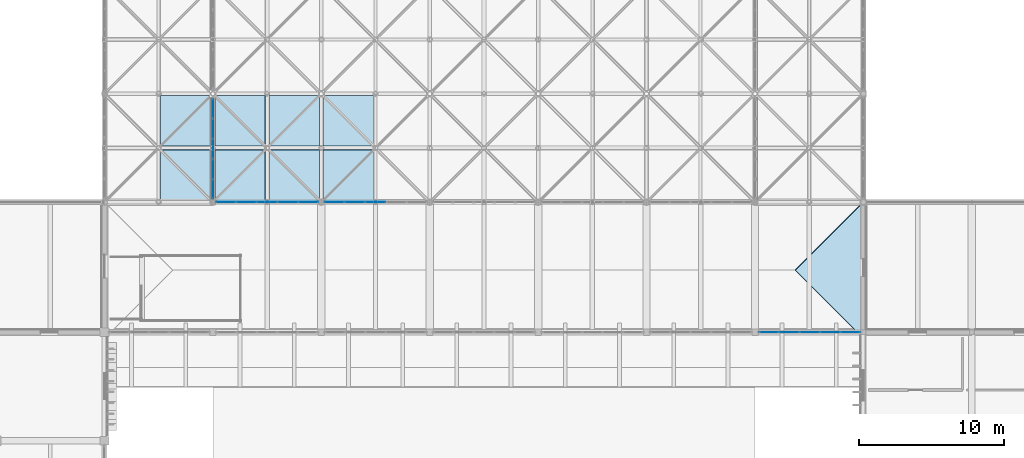
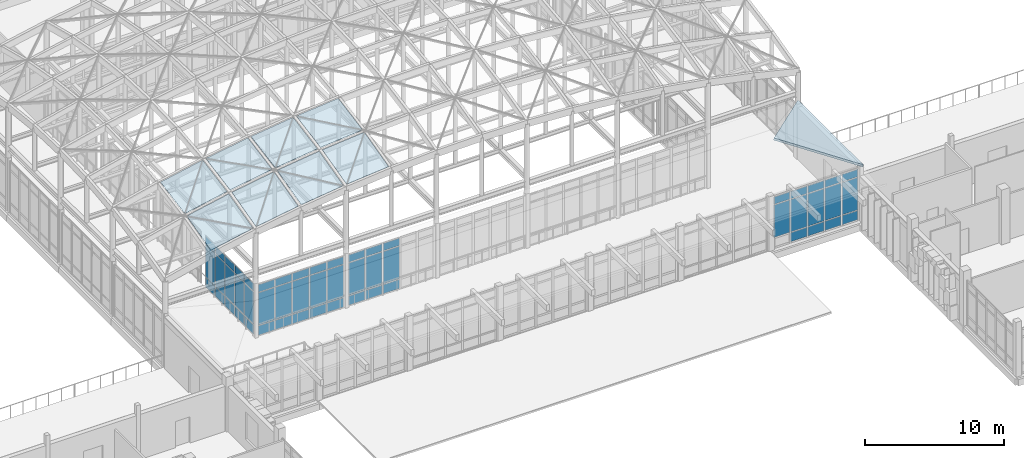
# One storey, part 79 of 131: 61 plates, 1 slab, 6 elements without a shape of their own.
"""IFC4 building model written with IfcOpenShell, lengths in metres."""

from ifc_helpers import new_model, si_unit, direction, frame, origin, origin_2d, place, context, subcontext, project, spatial, polyline, rectangle, outline, extrude, material, layer, layer_set, type_object, element, aggregate, save


model = new_model("IFC4")

# Units and contexts
model_context = context("Model", 3, precision=1e-05, world=origin(), true_north=direction((0.0, 1.0)))
body_context = subcontext(model_context, "Body", "Model", "MODEL_VIEW")
ifc_project = project(units=[si_unit("LENGTHUNIT", "METRE"), si_unit("AREAUNIT", "SQUARE_METRE"), si_unit("VOLUMEUNIT", "CUBIC_METRE"), si_unit("PLANEANGLEUNIT", "RADIAN"), si_unit("MASSUNIT", "GRAM", prefix="KILO")], contexts=[model_context])

# Site, building, storey
site_placement = place(None, origin())
site = spatial("IfcSite", under=ifc_project, at=site_placement, CompositionType="ELEMENT")
building_placement = place(site_placement, origin())
building = spatial("IfcBuilding", under=site, at=building_placement, Name="Dalvernix Boulevard General Hospital", CompositionType="ELEMENT")
storey_placement = place(building_placement, frame((0.0, 0.0, 9.300048828125)))
storey = spatial("IfcBuildingStorey", under=building, at=storey_placement, Name="L02", CompositionType="ELEMENT", Elevation=9.300048828125)

# Curtain wall, plates
ifc_material_1 = material(Name="Thermally broken aluminium and solar-control glass curtain wall", Category="aluminium")
ifc_layer_1 = layer(ifc_material_1, 0.159912109375)
ifc_layer_set_1 = layer_set([ifc_layer_1], Name="Thermally broken aluminium and solar-control glass curtain wall (CW-CW-A-70x46)")
curtain_wall_type_1 = type_object("IfcCurtainWallType", Name="CW-CW-A-70x46", PredefinedType="USERDEFINED", material=ifc_layer_set_1)
curtain_wall_1_placement = place(storey_placement, origin())
curtain_wall_1 = element("IfcCurtainWall", 1, at=curtain_wall_1_placement, inside=storey, type_object=curtain_wall_type_1, Name="L02 curtain wall CW-A-70x46 9-4", ObjectType="GLAZED FACADE", PredefinedType="USERDEFINED")
ifc_material_2 = material(Name="Double-glazed solar-control low-emissivity glass", Category="glass")
ifc_layer_2 = layer(ifc_material_2, 0.02392578125)
ifc_layer_set_2 = layer_set([ifc_layer_2], Name="Double-glazed solar-control low-emissivity glass (PLT-CW-P1)")
plate_type_1 = type_object("IfcPlateType", Name="PLT-CW-P1", PredefinedType="CURTAIN_PANEL", material=ifc_layer_set_2)
plate_1_placement = place(storey_placement, frame((67.5, 37.97509765625, 0.059814453125), z_axis=(0.0, 0.0, 1.0), x_axis=(0.0, -1.0, 0.0)))
plate_1 = element("IfcPlate", 2, at=plate_1_placement, type_object=plate_type_1, Name="CW-A-70x46 panel 1.1", PredefinedType="CURTAIN_PANEL", context=body_context, shape_type="SweptSolid", body=[
    extrude(rectangle(XDim=1.31005859375, YDim=0.02392578125, at=origin_2d()), origin(), (0.0, 0.0, 1.0), 0.81005859375),
])
plate_2_placement = place(storey_placement, frame((67.5, 37.97509765625, 0.9296875), z_axis=(0.0, 0.0, 1.0), x_axis=(0.0, -1.0, 0.0)))
plate_2 = element("IfcPlate", 3, at=plate_2_placement, type_object=plate_type_1, Name="CW-A-70x46 panel 1.2", PredefinedType="CURTAIN_PANEL", context=body_context, shape_type="SweptSolid", body=[
    extrude(rectangle(XDim=1.31005859375, YDim=0.02392578125, at=origin_2d()), origin(), (0.0, 0.0, 1.0), 2.840087890625),
])
plate_3_placement = place(storey_placement, frame((67.5, 37.97509765625, 3.830078125), z_axis=(0.0, 0.0, 1.0), x_axis=(0.0, -1.0, 0.0)))
plate_3 = element("IfcPlate", 4, at=plate_3_placement, type_object=plate_type_1, Name="CW-A-70x46 panel 1.3", PredefinedType="CURTAIN_PANEL", context=body_context, shape_type="SweptSolid", body=[
    extrude(rectangle(XDim=1.31005859375, YDim=0.02392578125, at=origin_2d()), origin(), (0.0, 0.0, 1.0), 0.659912109375),
])
plate_4_placement = place(storey_placement, frame((67.5, 36.590087890625, 0.059814453125), z_axis=(0.0, 0.0, 1.0), x_axis=(0.0, -1.0, 0.0)))
plate_4 = element("IfcPlate", 5, at=plate_4_placement, type_object=plate_type_1, Name="CW-A-70x46 panel 2.1", PredefinedType="CURTAIN_PANEL", context=body_context, shape_type="SweptSolid", body=[
    extrude(rectangle(XDim=1.340087890625, YDim=0.02392578125, at=origin_2d()), origin(), (0.0, 0.0, 1.0), 0.81005859375),
])
plate_5_placement = place(storey_placement, frame((67.5, 36.590087890625, 0.9296875), z_axis=(0.0, 0.0, 1.0), x_axis=(0.0, -1.0, 0.0)))
plate_5 = element("IfcPlate", 6, at=plate_5_placement, type_object=plate_type_1, Name="CW-A-70x46 panel 2.2", PredefinedType="CURTAIN_PANEL", context=body_context, shape_type="SweptSolid", body=[
    extrude(rectangle(XDim=1.340087890625, YDim=0.02392578125, at=origin_2d()), origin(), (0.0, 0.0, 1.0), 2.840087890625),
])
plate_6_placement = place(storey_placement, frame((67.5, 36.590087890625, 3.830078125), z_axis=(0.0, 0.0, 1.0), x_axis=(0.0, -1.0, 0.0)))
plate_6 = element("IfcPlate", 7, at=plate_6_placement, type_object=plate_type_1, Name="CW-A-70x46 panel 2.3", PredefinedType="CURTAIN_PANEL", context=body_context, shape_type="SweptSolid", body=[
    extrude(rectangle(XDim=1.340087890625, YDim=0.02392578125, at=origin_2d()), origin(), (0.0, 0.0, 1.0), 0.659912109375),
])
plate_7_placement = place(storey_placement, frame((67.5, 35.18994140625, 0.059814453125), z_axis=(0.0, 0.0, 1.0), x_axis=(0.0, -1.0, 0.0)))
plate_7 = element("IfcPlate", 8, at=plate_7_placement, type_object=plate_type_1, Name="CW-A-70x46 panel 3.1", PredefinedType="CURTAIN_PANEL", context=body_context, shape_type="SweptSolid", body=[
    extrude(rectangle(XDim=1.340087890625, YDim=0.02392578125, at=origin_2d()), origin(), (0.0, 0.0, 1.0), 0.81005859375),
])
plate_8_placement = place(storey_placement, frame((67.5, 35.18994140625, 0.9296875), z_axis=(0.0, 0.0, 1.0), x_axis=(0.0, -1.0, 0.0)))
plate_8 = element("IfcPlate", 9, at=plate_8_placement, type_object=plate_type_1, Name="CW-A-70x46 panel 3.2", PredefinedType="CURTAIN_PANEL", context=body_context, shape_type="SweptSolid", body=[
    extrude(rectangle(XDim=1.340087890625, YDim=0.02392578125, at=origin_2d()), origin(), (0.0, 0.0, 1.0), 2.840087890625),
])
plate_9_placement = place(storey_placement, frame((67.5, 35.18994140625, 3.830078125), z_axis=(0.0, 0.0, 1.0), x_axis=(0.0, -1.0, 0.0)))
plate_9 = element("IfcPlate", 10, at=plate_9_placement, type_object=plate_type_1, Name="CW-A-70x46 panel 3.3", PredefinedType="CURTAIN_PANEL", context=body_context, shape_type="SweptSolid", body=[
    extrude(rectangle(XDim=1.340087890625, YDim=0.02392578125, at=origin_2d()), origin(), (0.0, 0.0, 1.0), 0.659912109375),
])
plate_10_placement = place(storey_placement, frame((67.5, 33.7900390625, 0.059814453125), z_axis=(0.0, 0.0, 1.0), x_axis=(0.0, -1.0, 0.0)))
plate_10 = element("IfcPlate", 11, at=plate_10_placement, type_object=plate_type_1, Name="CW-A-70x46 panel 4.1", PredefinedType="CURTAIN_PANEL", context=body_context, shape_type="SweptSolid", body=[
    extrude(rectangle(XDim=1.340087890625, YDim=0.02392578125, at=origin_2d()), origin(), (0.0, 0.0, 1.0), 0.81005859375),
])
plate_11_placement = place(storey_placement, frame((67.5, 33.7900390625, 0.9296875), z_axis=(0.0, 0.0, 1.0), x_axis=(0.0, -1.0, 0.0)))
plate_11 = element("IfcPlate", 12, at=plate_11_placement, type_object=plate_type_1, Name="CW-A-70x46 panel 4.2", PredefinedType="CURTAIN_PANEL", context=body_context, shape_type="SweptSolid", body=[
    extrude(rectangle(XDim=1.340087890625, YDim=0.02392578125, at=origin_2d()), origin(), (0.0, 0.0, 1.0), 2.840087890625),
])
plate_12_placement = place(storey_placement, frame((67.5, 33.7900390625, 3.830078125), z_axis=(0.0, 0.0, 1.0), x_axis=(0.0, -1.0, 0.0)))
plate_12 = element("IfcPlate", 13, at=plate_12_placement, type_object=plate_type_1, Name="CW-A-70x46 panel 4.3", PredefinedType="CURTAIN_PANEL", context=body_context, shape_type="SweptSolid", body=[
    extrude(rectangle(XDim=1.340087890625, YDim=0.02392578125, at=origin_2d()), origin(), (0.0, 0.0, 1.0), 0.659912109375),
])
plate_13_placement = place(storey_placement, frame((67.5, 32.405029296875, 0.059814453125), z_axis=(0.0, 0.0, 1.0), x_axis=(0.0, -1.0, 0.0)))
plate_13 = element("IfcPlate", 14, at=plate_13_placement, type_object=plate_type_1, Name="CW-A-70x46 panel 5.1", PredefinedType="CURTAIN_PANEL", context=body_context, shape_type="SweptSolid", body=[
    extrude(rectangle(XDim=1.31005859375, YDim=0.02392578125, at=origin_2d()), origin(), (0.0, 0.0, 1.0), 0.81005859375),
])
plate_14_placement = place(storey_placement, frame((67.5, 32.405029296875, 0.9296875), z_axis=(0.0, 0.0, 1.0), x_axis=(0.0, -1.0, 0.0)))
plate_14 = element("IfcPlate", 15, at=plate_14_placement, type_object=plate_type_1, Name="CW-A-70x46 panel 5.2", PredefinedType="CURTAIN_PANEL", context=body_context, shape_type="SweptSolid", body=[
    extrude(rectangle(XDim=1.31005859375, YDim=0.02392578125, at=origin_2d()), origin(), (0.0, 0.0, 1.0), 2.840087890625),
])
plate_15_placement = place(storey_placement, frame((67.5, 32.405029296875, 3.830078125), z_axis=(0.0, 0.0, 1.0), x_axis=(0.0, -1.0, 0.0)))
plate_15 = element("IfcPlate", 16, at=plate_15_placement, type_object=plate_type_1, Name="CW-A-70x46 panel 5.3", PredefinedType="CURTAIN_PANEL", context=body_context, shape_type="SweptSolid", body=[
    extrude(rectangle(XDim=1.31005859375, YDim=0.02392578125, at=origin_2d()), origin(), (0.0, 0.0, 1.0), 0.659912109375),
])
aggregate(curtain_wall_1, [plate_1, plate_2, plate_3, plate_4, plate_5, plate_6, plate_7, plate_8, plate_9, plate_10, plate_11, plate_12, plate_13, plate_14, plate_15])

ifc_layer_3 = layer(ifc_material_1, 0.159912109375)
ifc_layer_set_3 = layer_set([ifc_layer_3], Name="Thermally broken aluminium and solar-control glass curtain wall (CW-CW-A-72x46)")
curtain_wall_type_2 = type_object("IfcCurtainWallType", Name="CW-CW-A-72x46", PredefinedType="USERDEFINED", material=ifc_layer_set_3)
curtain_wall_2_placement = place(storey_placement, origin())
curtain_wall_2 = element("IfcCurtainWall", 17, at=curtain_wall_2_placement, inside=storey, type_object=curtain_wall_type_2, Name="L02 curtain wall CW-A-72x46 9-4", ObjectType="GLAZED FACADE", PredefinedType="USERDEFINED")
plate_16_placement = place(storey_placement, frame((68.39306640625, 31.5, 0.059814453125), z_axis=(0.0, 0.0, 1.0), x_axis=(1.0, 0.0, 0.0)))
plate_16 = element("IfcPlate", 18, at=plate_16_placement, type_object=plate_type_1, Name="CW-A-72x46 panel 1.1", PredefinedType="CURTAIN_PANEL", context=body_context, shape_type="SweptSolid", body=[
    extrude(rectangle(XDim=1.345947265625, YDim=0.02392578125, at=origin_2d()), origin(), (0.0, 0.0, 1.0), 0.81005859375),
])
plate_17_placement = place(storey_placement, frame((68.39306640625, 31.5, 0.9296875), z_axis=(0.0, 0.0, 1.0), x_axis=(1.0, 0.0, 0.0)))
plate_17 = element("IfcPlate", 19, at=plate_17_placement, type_object=plate_type_1, Name="CW-A-72x46 panel 1.2", PredefinedType="CURTAIN_PANEL", context=body_context, shape_type="SweptSolid", body=[
    extrude(rectangle(XDim=1.345947265625, YDim=0.02392578125, at=origin_2d()), origin(), (0.0, 0.0, 1.0), 2.840087890625),
])
plate_18_placement = place(storey_placement, frame((68.39306640625, 31.5, 3.830078125), z_axis=(0.0, 0.0, 1.0), x_axis=(1.0, 0.0, 0.0)))
plate_18 = element("IfcPlate", 20, at=plate_18_placement, type_object=plate_type_1, Name="CW-A-72x46 panel 1.3", PredefinedType="CURTAIN_PANEL", context=body_context, shape_type="SweptSolid", body=[
    extrude(rectangle(XDim=1.345947265625, YDim=0.02392578125, at=origin_2d()), origin(), (0.0, 0.0, 1.0), 0.659912109375),
])
plate_19_placement = place(storey_placement, frame((69.81396484375, 31.5, 0.059814453125), z_axis=(0.0, 0.0, 1.0), x_axis=(1.0, 0.0, 0.0)))
plate_19 = element("IfcPlate", 21, at=plate_19_placement, type_object=plate_type_1, Name="CW-A-72x46 panel 2.1", PredefinedType="CURTAIN_PANEL", context=body_context, shape_type="SweptSolid", body=[
    extrude(rectangle(XDim=1.3759765625, YDim=0.02392578125, at=origin_2d()), origin(), (0.0, 0.0, 1.0), 0.81005859375),
])
plate_20_placement = place(storey_placement, frame((69.81396484375, 31.5, 0.9296875), z_axis=(0.0, 0.0, 1.0), x_axis=(1.0, 0.0, 0.0)))
plate_20 = element("IfcPlate", 22, at=plate_20_placement, type_object=plate_type_1, Name="CW-A-72x46 panel 2.2", PredefinedType="CURTAIN_PANEL", context=body_context, shape_type="SweptSolid", body=[
    extrude(rectangle(XDim=1.3759765625, YDim=0.02392578125, at=origin_2d()), origin(), (0.0, 0.0, 1.0), 2.840087890625),
])
plate_21_placement = place(storey_placement, frame((69.81396484375, 31.5, 3.830078125), z_axis=(0.0, 0.0, 1.0), x_axis=(1.0, 0.0, 0.0)))
plate_21 = element("IfcPlate", 23, at=plate_21_placement, type_object=plate_type_1, Name="CW-A-72x46 panel 2.3", PredefinedType="CURTAIN_PANEL", context=body_context, shape_type="SweptSolid", body=[
    extrude(rectangle(XDim=1.3759765625, YDim=0.02392578125, at=origin_2d()), origin(), (0.0, 0.0, 1.0), 0.659912109375),
])
plate_22_placement = place(storey_placement, frame((71.25, 31.5, 0.059814453125), z_axis=(0.0, 0.0, 1.0), x_axis=(1.0, 0.0, 0.0)))
plate_22 = element("IfcPlate", 24, at=plate_22_placement, type_object=plate_type_1, Name="CW-A-72x46 panel 3.1", PredefinedType="CURTAIN_PANEL", context=body_context, shape_type="SweptSolid", body=[
    extrude(rectangle(XDim=1.3759765625, YDim=0.02392578125, at=origin_2d()), origin(), (0.0, 0.0, 1.0), 0.81005859375),
])
plate_23_placement = place(storey_placement, frame((71.25, 31.5, 0.9296875), z_axis=(0.0, 0.0, 1.0), x_axis=(1.0, 0.0, 0.0)))
plate_23 = element("IfcPlate", 25, at=plate_23_placement, type_object=plate_type_1, Name="CW-A-72x46 panel 3.2", PredefinedType="CURTAIN_PANEL", context=body_context, shape_type="SweptSolid", body=[
    extrude(rectangle(XDim=1.3759765625, YDim=0.02392578125, at=origin_2d()), origin(), (0.0, 0.0, 1.0), 2.840087890625),
])
plate_24_placement = place(storey_placement, frame((71.25, 31.5, 3.830078125), z_axis=(0.0, 0.0, 1.0), x_axis=(1.0, 0.0, 0.0)))
plate_24 = element("IfcPlate", 26, at=plate_24_placement, type_object=plate_type_1, Name="CW-A-72x46 panel 3.3", PredefinedType="CURTAIN_PANEL", context=body_context, shape_type="SweptSolid", body=[
    extrude(rectangle(XDim=1.3759765625, YDim=0.02392578125, at=origin_2d()), origin(), (0.0, 0.0, 1.0), 0.659912109375),
])
plate_25_placement = place(storey_placement, frame((72.68603515625, 31.5, 0.059814453125), z_axis=(0.0, 0.0, 1.0), x_axis=(1.0, 0.0, 0.0)))
plate_25 = element("IfcPlate", 27, at=plate_25_placement, type_object=plate_type_1, Name="CW-A-72x46 panel 4.1", PredefinedType="CURTAIN_PANEL", context=body_context, shape_type="SweptSolid", body=[
    extrude(rectangle(XDim=1.3759765625, YDim=0.02392578125, at=origin_2d()), origin(), (0.0, 0.0, 1.0), 0.81005859375),
])
plate_26_placement = place(storey_placement, frame((72.68603515625, 31.5, 0.9296875), z_axis=(0.0, 0.0, 1.0), x_axis=(1.0, 0.0, 0.0)))
plate_26 = element("IfcPlate", 28, at=plate_26_placement, type_object=plate_type_1, Name="CW-A-72x46 panel 4.2", PredefinedType="CURTAIN_PANEL", context=body_context, shape_type="SweptSolid", body=[
    extrude(rectangle(XDim=1.3759765625, YDim=0.02392578125, at=origin_2d()), origin(), (0.0, 0.0, 1.0), 2.840087890625),
])
plate_27_placement = place(storey_placement, frame((72.68603515625, 31.5, 3.830078125), z_axis=(0.0, 0.0, 1.0), x_axis=(1.0, 0.0, 0.0)))
plate_27 = element("IfcPlate", 29, at=plate_27_placement, type_object=plate_type_1, Name="CW-A-72x46 panel 4.3", PredefinedType="CURTAIN_PANEL", context=body_context, shape_type="SweptSolid", body=[
    extrude(rectangle(XDim=1.3759765625, YDim=0.02392578125, at=origin_2d()), origin(), (0.0, 0.0, 1.0), 0.659912109375),
])
plate_28_placement = place(storey_placement, frame((74.10693359375, 31.5, 0.059814453125), z_axis=(0.0, 0.0, 1.0), x_axis=(1.0, 0.0, 0.0)))
plate_28 = element("IfcPlate", 30, at=plate_28_placement, type_object=plate_type_1, Name="CW-A-72x46 panel 5.1", PredefinedType="CURTAIN_PANEL", context=body_context, shape_type="SweptSolid", body=[
    extrude(rectangle(XDim=1.345947265625, YDim=0.02392578125, at=origin_2d()), origin(), (0.0, 0.0, 1.0), 0.81005859375),
])
plate_29_placement = place(storey_placement, frame((74.10693359375, 31.5, 0.9296875), z_axis=(0.0, 0.0, 1.0), x_axis=(1.0, 0.0, 0.0)))
plate_29 = element("IfcPlate", 31, at=plate_29_placement, type_object=plate_type_1, Name="CW-A-72x46 panel 5.2", PredefinedType="CURTAIN_PANEL", context=body_context, shape_type="SweptSolid", body=[
    extrude(rectangle(XDim=1.345947265625, YDim=0.02392578125, at=origin_2d()), origin(), (0.0, 0.0, 1.0), 2.840087890625),
])
plate_30_placement = place(storey_placement, frame((74.10693359375, 31.5, 3.830078125), z_axis=(0.0, 0.0, 1.0), x_axis=(1.0, 0.0, 0.0)))
plate_30 = element("IfcPlate", 32, at=plate_30_placement, type_object=plate_type_1, Name="CW-A-72x46 panel 5.3", PredefinedType="CURTAIN_PANEL", context=body_context, shape_type="SweptSolid", body=[
    extrude(rectangle(XDim=1.345947265625, YDim=0.02392578125, at=origin_2d()), origin(), (0.0, 0.0, 1.0), 0.659912109375),
])
aggregate(curtain_wall_2, [plate_16, plate_17, plate_18, plate_19, plate_20, plate_21, plate_22, plate_23, plate_24, plate_25, plate_26, plate_27, plate_28, plate_29, plate_30])

ifc_layer_4 = layer(ifc_material_1, 0.179931640625)
ifc_layer_set_4 = layer_set([ifc_layer_4], Name="Thermally broken aluminium and solar-control glass curtain wall (CW-CW-B-72x46)")
curtain_wall_type_3 = type_object("IfcCurtainWallType", Name="CW-CW-B-72x46", PredefinedType="USERDEFINED", material=ifc_layer_set_4)
curtain_wall_3_placement = place(storey_placement, origin())
curtain_wall_3 = element("IfcCurtainWall", 33, at=curtain_wall_3_placement, inside=storey, type_object=curtain_wall_type_3, Name="L02 curtain wall CW-B-72x46 10-4", ObjectType="GLAZED FACADE", PredefinedType="USERDEFINED")
ifc_layer_5 = layer(ifc_material_2, 0.028076171875)
ifc_layer_set_5 = layer_set([ifc_layer_5], Name="Double-glazed solar-control low-emissivity glass (PLT-CW-P2)")
plate_type_2 = type_object("IfcPlateType", Name="PLT-CW-P2", PredefinedType="CURTAIN_PANEL", material=ifc_layer_set_5)
plate_31_placement = place(storey_placement, frame((75.894287109375, 31.5, 0.06494140625), z_axis=(0.0, 0.0, 1.0), x_axis=(1.0, 0.0, 0.0)))
plate_31 = element("IfcPlate", 34, at=plate_31_placement, type_object=plate_type_2, Name="CW-B-72x46 panel 1.1", PredefinedType="CURTAIN_PANEL", context=body_context, shape_type="SweptSolid", body=[
    extrude(rectangle(XDim=1.33837890625, YDim=0.028076171875, at=origin_2d()), origin(), (0.0, 0.0, 1.0), 0.802490234375),
])
plate_32_placement = place(storey_placement, frame((75.894287109375, 31.5, 0.932373046875), z_axis=(0.0, 0.0, 1.0), x_axis=(1.0, 0.0, 0.0)))
plate_32 = element("IfcPlate", 35, at=plate_32_placement, type_object=plate_type_2, Name="CW-B-72x46 panel 1.2", PredefinedType="CURTAIN_PANEL", context=body_context, shape_type="SweptSolid", body=[
    extrude(rectangle(XDim=1.33837890625, YDim=0.028076171875, at=origin_2d()), origin(), (0.0, 0.0, 1.0), 2.8349609375),
])
plate_33_placement = place(storey_placement, frame((75.894287109375, 31.5, 3.83251953125), z_axis=(0.0, 0.0, 1.0), x_axis=(1.0, 0.0, 0.0)))
plate_33 = element("IfcPlate", 36, at=plate_33_placement, type_object=plate_type_2, Name="CW-B-72x46 panel 1.3", PredefinedType="CURTAIN_PANEL", context=body_context, shape_type="SweptSolid", body=[
    extrude(rectangle(XDim=1.33837890625, YDim=0.028076171875, at=origin_2d()), origin(), (0.0, 0.0, 1.0), 0.652587890625),
])
plate_34_placement = place(storey_placement, frame((77.31396484375, 31.5, 0.06494140625), z_axis=(0.0, 0.0, 1.0), x_axis=(1.0, 0.0, 0.0)))
plate_34 = element("IfcPlate", 37, at=plate_34_placement, type_object=plate_type_2, Name="CW-B-72x46 panel 2.1", PredefinedType="CURTAIN_PANEL", context=body_context, shape_type="SweptSolid", body=[
    extrude(rectangle(XDim=1.37109375, YDim=0.028076171875, at=origin_2d()), origin(), (0.0, 0.0, 1.0), 0.802490234375),
])
plate_35_placement = place(storey_placement, frame((77.31396484375, 31.5, 0.932373046875), z_axis=(0.0, 0.0, 1.0), x_axis=(1.0, 0.0, 0.0)))
plate_35 = element("IfcPlate", 38, at=plate_35_placement, type_object=plate_type_2, Name="CW-B-72x46 panel 2.2", PredefinedType="CURTAIN_PANEL", context=body_context, shape_type="SweptSolid", body=[
    extrude(rectangle(XDim=1.37109375, YDim=0.028076171875, at=origin_2d()), origin(), (0.0, 0.0, 1.0), 2.8349609375),
])
plate_36_placement = place(storey_placement, frame((77.31396484375, 31.5, 3.83251953125), z_axis=(0.0, 0.0, 1.0), x_axis=(1.0, 0.0, 0.0)))
plate_36 = element("IfcPlate", 39, at=plate_36_placement, type_object=plate_type_2, Name="CW-B-72x46 panel 2.3", PredefinedType="CURTAIN_PANEL", context=body_context, shape_type="SweptSolid", body=[
    extrude(rectangle(XDim=1.37109375, YDim=0.028076171875, at=origin_2d()), origin(), (0.0, 0.0, 1.0), 0.652587890625),
])
plate_37_placement = place(storey_placement, frame((78.75, 31.5, 0.06494140625), z_axis=(0.0, 0.0, 1.0), x_axis=(1.0, 0.0, 0.0)))
plate_37 = element("IfcPlate", 40, at=plate_37_placement, type_object=plate_type_2, Name="CW-B-72x46 panel 3.1", PredefinedType="CURTAIN_PANEL", context=body_context, shape_type="SweptSolid", body=[
    extrude(rectangle(XDim=1.37109375, YDim=0.028076171875, at=origin_2d()), origin(), (0.0, 0.0, 1.0), 0.802490234375),
])
plate_38_placement = place(storey_placement, frame((78.75, 31.5, 0.932373046875), z_axis=(0.0, 0.0, 1.0), x_axis=(1.0, 0.0, 0.0)))
plate_38 = element("IfcPlate", 41, at=plate_38_placement, type_object=plate_type_2, Name="CW-B-72x46 panel 3.2", PredefinedType="CURTAIN_PANEL", context=body_context, shape_type="SweptSolid", body=[
    extrude(rectangle(XDim=1.37109375, YDim=0.028076171875, at=origin_2d()), origin(), (0.0, 0.0, 1.0), 2.8349609375),
])
plate_39_placement = place(storey_placement, frame((78.75, 31.5, 3.83251953125), z_axis=(0.0, 0.0, 1.0), x_axis=(1.0, 0.0, 0.0)))
plate_39 = element("IfcPlate", 42, at=plate_39_placement, type_object=plate_type_2, Name="CW-B-72x46 panel 3.3", PredefinedType="CURTAIN_PANEL", context=body_context, shape_type="SweptSolid", body=[
    extrude(rectangle(XDim=1.37109375, YDim=0.028076171875, at=origin_2d()), origin(), (0.0, 0.0, 1.0), 0.652587890625),
])
aggregate(curtain_wall_3, [plate_31, plate_32, plate_33, plate_34, plate_35, plate_36, plate_37, plate_38, plate_39])

ifc_layer_6 = layer(ifc_material_1, 0.179931640625)
ifc_layer_set_6 = layer_set([ifc_layer_6], Name="Thermally broken aluminium and solar-control glass curtain wall (CW-CW-B-71x46)")
curtain_wall_type_4 = type_object("IfcCurtainWallType", Name="CW-CW-B-71x46", PredefinedType="USERDEFINED", material=ifc_layer_set_6)
curtain_wall_4_placement = place(storey_placement, origin())
curtain_wall_4 = element("IfcCurtainWall", 43, at=curtain_wall_4_placement, inside=storey, type_object=curtain_wall_type_4, Name="L02 curtain wall CW-B-71x46 14-3", ObjectType="GLAZED FACADE", PredefinedType="USERDEFINED")
plate_40_placement = place(storey_placement, frame((111.604248046875, 22.5, 0.06494140625), z_axis=(0.0, 0.0, 1.0), x_axis=(-1.0, 0.0, 0.0)))
plate_40 = element("IfcPlate", 44, at=plate_40_placement, type_object=plate_type_2, Name="CW-B-71x46 panel 1.1", PredefinedType="CURTAIN_PANEL", context=body_context, shape_type="SweptSolid", body=[
    extrude(rectangle(XDim=1.321533203125, YDim=0.028076171875, at=origin_2d()), origin(), (0.0, 0.0, 1.0), 0.802490234375),
])
plate_41_placement = place(storey_placement, frame((111.604248046875, 22.5, 0.932373046875), z_axis=(0.0, 0.0, 1.0), x_axis=(-1.0, 0.0, 0.0)))
plate_41 = element("IfcPlate", 45, at=plate_41_placement, type_object=plate_type_2, Name="CW-B-71x46 panel 1.2", PredefinedType="CURTAIN_PANEL", context=body_context, shape_type="SweptSolid", body=[
    extrude(rectangle(XDim=1.321533203125, YDim=0.028076171875, at=origin_2d()), origin(), (0.0, 0.0, 1.0), 2.8349609375),
])
plate_42_placement = place(storey_placement, frame((111.604248046875, 22.5, 3.83251953125), z_axis=(0.0, 0.0, 1.0), x_axis=(-1.0, 0.0, 0.0)))
plate_42 = element("IfcPlate", 46, at=plate_42_placement, type_object=plate_type_2, Name="CW-B-71x46 panel 1.3", PredefinedType="CURTAIN_PANEL", context=body_context, shape_type="SweptSolid", body=[
    extrude(rectangle(XDim=1.321533203125, YDim=0.028076171875, at=origin_2d()), origin(), (0.0, 0.0, 1.0), 0.652587890625),
])
plate_43_placement = place(storey_placement, frame((110.201416015625, 22.5, 0.06494140625), z_axis=(0.0, 0.0, 1.0), x_axis=(-1.0, 0.0, 0.0)))
plate_43 = element("IfcPlate", 47, at=plate_43_placement, type_object=plate_type_2, Name="CW-B-71x46 panel 2.1", PredefinedType="CURTAIN_PANEL", context=body_context, shape_type="SweptSolid", body=[
    extrude(rectangle(XDim=1.35400390625, YDim=0.028076171875, at=origin_2d()), origin(), (0.0, 0.0, 1.0), 0.802490234375),
])
plate_44_placement = place(storey_placement, frame((110.201416015625, 22.5, 0.932373046875), z_axis=(0.0, 0.0, 1.0), x_axis=(-1.0, 0.0, 0.0)))
plate_44 = element("IfcPlate", 48, at=plate_44_placement, type_object=plate_type_2, Name="CW-B-71x46 panel 2.2", PredefinedType="CURTAIN_PANEL", context=body_context, shape_type="SweptSolid", body=[
    extrude(rectangle(XDim=1.35400390625, YDim=0.028076171875, at=origin_2d()), origin(), (0.0, 0.0, 1.0), 2.8349609375),
])
plate_45_placement = place(storey_placement, frame((110.201416015625, 22.5, 3.83251953125), z_axis=(0.0, 0.0, 1.0), x_axis=(-1.0, 0.0, 0.0)))
plate_45 = element("IfcPlate", 49, at=plate_45_placement, type_object=plate_type_2, Name="CW-B-71x46 panel 2.3", PredefinedType="CURTAIN_PANEL", context=body_context, shape_type="SweptSolid", body=[
    extrude(rectangle(XDim=1.35400390625, YDim=0.028076171875, at=origin_2d()), origin(), (0.0, 0.0, 1.0), 0.652587890625),
])
plate_46_placement = place(storey_placement, frame((108.782470703125, 22.5, 0.06494140625), z_axis=(0.0, 0.0, 1.0), x_axis=(-1.0, 0.0, 0.0)))
plate_46 = element("IfcPlate", 50, at=plate_46_placement, type_object=plate_type_2, Name="CW-B-71x46 panel 3.1", PredefinedType="CURTAIN_PANEL", context=body_context, shape_type="SweptSolid", body=[
    extrude(rectangle(XDim=1.35400390625, YDim=0.028076171875, at=origin_2d()), origin(), (0.0, 0.0, 1.0), 0.802490234375),
])
plate_47_placement = place(storey_placement, frame((108.782470703125, 22.5, 0.932373046875), z_axis=(0.0, 0.0, 1.0), x_axis=(-1.0, 0.0, 0.0)))
plate_47 = element("IfcPlate", 51, at=plate_47_placement, type_object=plate_type_2, Name="CW-B-71x46 panel 3.2", PredefinedType="CURTAIN_PANEL", context=body_context, shape_type="SweptSolid", body=[
    extrude(rectangle(XDim=1.35400390625, YDim=0.028076171875, at=origin_2d()), origin(), (0.0, 0.0, 1.0), 2.8349609375),
])
plate_48_placement = place(storey_placement, frame((108.782470703125, 22.5, 3.83251953125), z_axis=(0.0, 0.0, 1.0), x_axis=(-1.0, 0.0, 0.0)))
plate_48 = element("IfcPlate", 52, at=plate_48_placement, type_object=plate_type_2, Name="CW-B-71x46 panel 3.3", PredefinedType="CURTAIN_PANEL", context=body_context, shape_type="SweptSolid", body=[
    extrude(rectangle(XDim=1.35400390625, YDim=0.028076171875, at=origin_2d()), origin(), (0.0, 0.0, 1.0), 0.652587890625),
])
plate_49_placement = place(storey_placement, frame((107.363525390625, 22.5, 0.06494140625), z_axis=(0.0, 0.0, 1.0), x_axis=(-1.0, 0.0, 0.0)))
plate_49 = element("IfcPlate", 53, at=plate_49_placement, type_object=plate_type_2, Name="CW-B-71x46 panel 4.1", PredefinedType="CURTAIN_PANEL", context=body_context, shape_type="SweptSolid", body=[
    extrude(rectangle(XDim=1.35400390625, YDim=0.028076171875, at=origin_2d()), origin(), (0.0, 0.0, 1.0), 0.802490234375),
])
plate_50_placement = place(storey_placement, frame((107.363525390625, 22.5, 0.932373046875), z_axis=(0.0, 0.0, 1.0), x_axis=(-1.0, 0.0, 0.0)))
plate_50 = element("IfcPlate", 54, at=plate_50_placement, type_object=plate_type_2, Name="CW-B-71x46 panel 4.2", PredefinedType="CURTAIN_PANEL", context=body_context, shape_type="SweptSolid", body=[
    extrude(rectangle(XDim=1.35400390625, YDim=0.028076171875, at=origin_2d()), origin(), (0.0, 0.0, 1.0), 2.8349609375),
])
plate_51_placement = place(storey_placement, frame((107.363525390625, 22.5, 3.83251953125), z_axis=(0.0, 0.0, 1.0), x_axis=(-1.0, 0.0, 0.0)))
plate_51 = element("IfcPlate", 55, at=plate_51_placement, type_object=plate_type_2, Name="CW-B-71x46 panel 4.3", PredefinedType="CURTAIN_PANEL", context=body_context, shape_type="SweptSolid", body=[
    extrude(rectangle(XDim=1.35400390625, YDim=0.028076171875, at=origin_2d()), origin(), (0.0, 0.0, 1.0), 0.652587890625),
])
plate_52_placement = place(storey_placement, frame((105.960693359375, 22.5, 0.932373046875), z_axis=(0.0, 0.0, 1.0), x_axis=(-1.0, 0.0, 0.0)))
plate_52 = element("IfcPlate", 56, at=plate_52_placement, type_object=plate_type_2, Name="CW-B-71x46 panel 5.2", PredefinedType="CURTAIN_PANEL", context=body_context, shape_type="SweptSolid", body=[
    extrude(rectangle(XDim=1.321533203125, YDim=0.028076171875, at=origin_2d()), origin(), (0.0, 0.0, 1.0), 2.8349609375),
])
plate_53_placement = place(storey_placement, frame((105.960693359375, 22.5, 3.83251953125), z_axis=(0.0, 0.0, 1.0), x_axis=(-1.0, 0.0, 0.0)))
plate_53 = element("IfcPlate", 57, at=plate_53_placement, type_object=plate_type_2, Name="CW-B-71x46 panel 5.3", PredefinedType="CURTAIN_PANEL", context=body_context, shape_type="SweptSolid", body=[
    extrude(rectangle(XDim=1.321533203125, YDim=0.028076171875, at=origin_2d()), origin(), (0.0, 0.0, 1.0), 0.652587890625),
])
aggregate(curtain_wall_4, [plate_40, plate_41, plate_42, plate_43, plate_44, plate_45, plate_46, plate_47, plate_48, plate_49, plate_50, plate_51, plate_52, plate_53])

# Roof, plates
ifc_material_3 = material(Name="Polychrome Catalan glazed terracotta tile roof system", Category="masonry")
roof_type = type_object("IfcRoofType", Name="ROOF-HIP-01", PredefinedType="HIP_ROOF", material=ifc_material_3)
roof_1_placement = place(storey_placement, origin())
roof_1 = element("IfcRoof", 58, at=roof_1_placement, inside=storey, type_object=roof_type, Name="V1 Arrival Hall and Botanical Conservatory Dome Vault Gridshell Roof", PredefinedType="HIP_ROOF")
ifc_material_4 = material(Name="Laminated solar-control glass", Category="glass")
ifc_layer_7 = layer(ifc_material_4, 0.031982421875)
ifc_layer_set_7 = layer_set([ifc_layer_7], Name="Laminated solar-control glass (PLT-GP-01)")
plate_type_3 = type_object("IfcPlateType", Name="PLT-GP-01", PredefinedType="SHEET", material=ifc_layer_set_7)
plate_54_placement = place(storey_placement, frame((63.8798828125, 31.6298828125, 8.768798828125), z_axis=(-0.193375729182, -0.243896717211, 0.95032637483), x_axis=(0.979918732622, 0.0, 0.199397285478)))
plate_54 = element("IfcPlate", 59, at=plate_54_placement, type_object=plate_type_3, Name="Gridshell solar-control glazing panel 2-1", PredefinedType="SHEET", context=body_context, shape_type="SweptSolid", body=[
    extrude(outline(polyline([(0.0, 0.0), (3.5617590100154417, -2.7755575615628914e-17), (3.7403695179304632, 3.59891731502979), (0.17861050791502145, 3.59891731502979), (0.0, 0.0)])), origin(), (0.0, 0.0, -1.0), 0.031982421875),
])
plate_55_placement = place(storey_placement, frame((63.8798828125, 35.3798828125, 9.7216796875), z_axis=(-0.196288835097, -0.176791507947, 0.964476778328), x_axis=(0.979911826157, 5.843765e-06, 0.199431223544)))
plate_55 = element("IfcPlate", 60, at=plate_55_placement, type_object=plate_type_3, Name="Gridshell solar-control glazing panel 2-2", PredefinedType="SHEET", context=body_context, shape_type="SweptSolid", body=[
    extrude(outline(polyline([(0.0, 0.0), (3.561807697082036, -1.3877787807814457e-17), (3.689393963721337, 3.54606935165284), (0.12763495590286175, 3.5461116463164957), (0.0, 0.0)])), origin(), (0.0, 0.0, -1.0), 0.031982421875),
])
plate_56_placement = place(storey_placement, frame((67.6298828125, 31.6298828125, 9.527099609375), z_axis=(-0.159262846617, -0.24541595306, 0.956245970277), x_axis=(0.986412565919, 0.0, 0.164287095653)))
plate_56 = element("IfcPlate", 61, at=plate_56_placement, type_object=plate_type_3, Name="Gridshell solar-control glazing panel 3-1", PredefinedType="SHEET", context=body_context, shape_type="SweptSolid", body=[
    extrude(outline(polyline([(0.0, 0.0), (3.5383109416798204, 2.7755575615628914e-17), (3.685471428484024, 3.600340448496842), (0.1471604868042036, 3.600340448496842), (0.0, 0.0)])), origin(), (0.0, 0.0, -1.0), 0.031982421875),
])
plate_57_placement = place(storey_placement, frame((67.6298828125, 35.3798828125, 10.480224609375), z_axis=(-0.161632608852, -0.177928272, 0.970678334866), x_axis=(0.986418333153, -5.958532e-06, 0.164252464167)))
plate_57 = element("IfcPlate", 62, at=plate_57_placement, type_object=plate_type_3, Name="Gridshell solar-control glazing panel 3-2", PredefinedType="SHEET", context=body_context, shape_type="SweptSolid", body=[
    extrude(outline(polyline([(0.0, 0.0), (3.5382708387370867, 1.3877787807814457e-17), (3.6433539748230794, 3.546851565042061), (0.10504303538673347, 3.5468087152684817), (0.0, 0.0)])), origin(), (0.0, 0.0, -1.0), 0.031982421875),
])
plate_58_placement = place(storey_placement, frame((71.3798828125, 31.6298828125, 10.14697265625), z_axis=(-0.124437606637, -0.246656714614, 0.961080510254), x_axis=(0.991721820954, 0.0, 0.128404944781)))
plate_58 = element("IfcPlate", 63, at=plate_58_placement, type_object=plate_type_3, Name="Gridshell solar-control glazing panel 4-1", PredefinedType="SHEET", context=body_context, shape_type="SweptSolid", body=[
    extrude(outline(polyline([(0.0, 0.0), (3.519368336216846, -1.3877787807814457e-17), (3.6343873162950993, 3.601510542561364), (0.1150189800782534, 3.601510542561364), (0.0, 0.0)])), origin(), (0.0, 0.0, -1.0), 0.031982421875),
])
plate_59_placement = place(storey_placement, frame((71.3798828125, 35.3798828125, 11.099853515625), z_axis=(-0.126333714561, -0.178887447793, 0.975724896468), x_axis=(0.991721820954, 0.0, 0.128404944781)))
plate_59 = element("IfcPlate", 64, at=plate_59_placement, type_object=plate_type_3, Name="Gridshell solar-control glazing panel 4-2", PredefinedType="SHEET", context=body_context, shape_type="SweptSolid", body=[
    extrude(outline(polyline([(0.0, 0.0), (3.519368336216846, -1.3877787807814457e-17), (3.60153370737659, 3.547456462841127), (0.08216537115974437, 3.5474564628411276), (0.0, 0.0)])), origin(), (0.0, 0.0, -1.0), 0.031982421875),
])
plate_60_placement = place(storey_placement, frame((75.1298828125, 31.6298828125, 10.627685546875), z_axis=(-0.089280380213, -0.247596156464, 0.964740979234), x_axis=(0.99574517266, 0.0, 0.092149612719)))
plate_60 = element("IfcPlate", 65, at=plate_60_placement, type_object=plate_type_3, Name="Gridshell solar-control glazing panel 5-1", PredefinedType="SHEET", context=body_context, shape_type="SweptSolid", body=[
    extrude(outline(polyline([(0.0, 0.0), (3.505148175286846, 0.0), (3.5876913708595026, 3.6024011679466725), (0.08254319557265632, 3.602401167946672), (0.0, 0.0)])), origin(), (0.0, 0.0, -1.0), 0.031982421875),
])
plate_61_placement = place(storey_placement, frame((75.1298828125, 35.3798828125, 11.580810546875), z_axis=(-0.090617984685, -0.179557224096, 0.979564997398), x_axis=(0.99574847059, -6.125515e-06, 0.092113968973)))
plate_61 = element("IfcPlate", 66, at=plate_61_placement, type_object=plate_type_3, Name="Gridshell solar-control glazing panel 5-2", PredefinedType="SHEET", context=body_context, shape_type="SweptSolid", body=[
    extrude(outline(polyline([(0.0, 0.0), (3.5051256842134633, 0.0), (3.564047349818429, 3.5479186471782382), (0.05889917684300873, 3.5478749962050062), (0.0, 0.0)])), origin(), (0.0, 0.0, -1.0), 0.031982421875),
])
aggregate(roof_1, [plate_54, plate_55, plate_56, plate_57, plate_58, plate_59, plate_60, plate_61])

# Roof, slab
roof_2_placement = place(storey_placement, origin())
roof_2 = element("IfcRoof", 67, at=roof_2_placement, inside=storey, type_object=roof_type, Name="V1S Hipped Ceramic Roof", PredefinedType="HIP_ROOF")
ifc_material_5 = material(Name="Concrete C35/45", Category="concrete")
ifc_layer_8 = layer(ifc_material_5, 0.179931640625)
ifc_layer_set_8 = layer_set([ifc_layer_8], Name="Concrete C35/45 (SLB-RS-03)")
slab_type = type_object("IfcSlabType", Name="SLB-RS-03", PredefinedType="ROOF", material=ifc_layer_set_8)
slab_placement = place(storey_placement, frame((112.5, 22.10009765625, 5.02001953125), z_axis=(0.238509711225, 0.0, 0.971140112266), x_axis=(0.0, 1.0, 0.0)))
slab = element("IfcSlab", 68, at=slab_placement, type_object=slab_type, Name="V1S hipped roof slab E", PredefinedType="ROOF", context=body_context, shape_type="SweptSolid", body=[
    extrude(outline(polyline([(0.0, 0.0), (9.39990234375, 0.0), (4.699951171875, 4.839622123021999), (0.0, 0.0)])), origin(), (0.0, 0.0, -1.0), 0.179931640625),
])
aggregate(roof_2, [slab])

save(model, "model.ifc")
